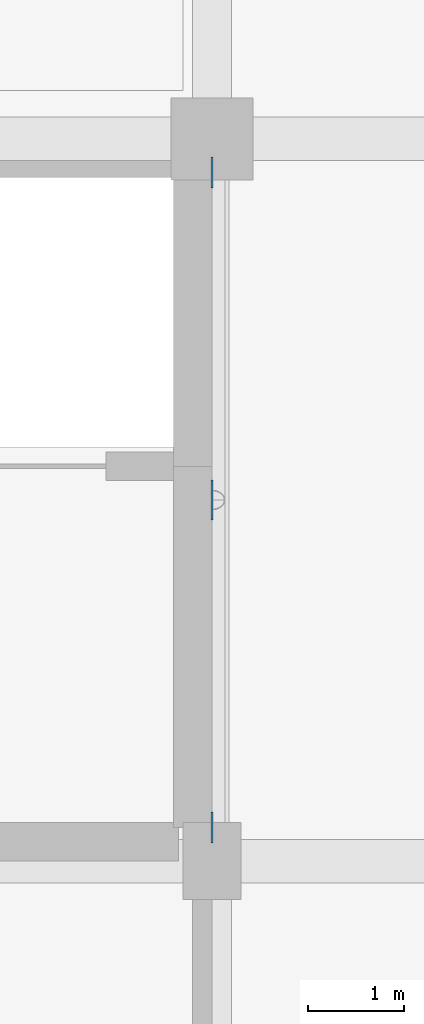
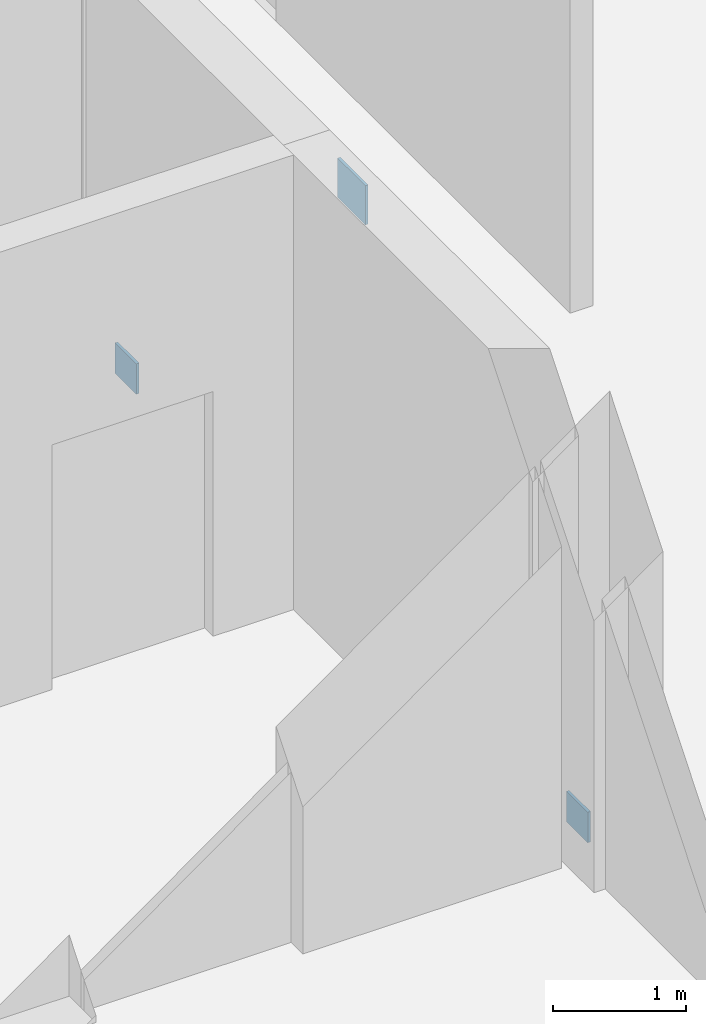
# One storey, part 92 of 128: 3 plates.
"""IFC4 building model written with IfcOpenShell, lengths in metres."""

from ifc_helpers import new_model, si_unit, direction, frame, origin, origin_2d, place, context, subcontext, project, spatial, rectangle, extrude, material, layer, layer_set, type_object, element, save


model = new_model("IFC4")

# Units and contexts
model_context = context("Model", 3, precision=1e-05, world=origin(), true_north=direction((0.0, 1.0)))
body_context = subcontext(model_context, "Body", "Model", "MODEL_VIEW")
ifc_project = project(units=[si_unit("LENGTHUNIT", "METRE"), si_unit("AREAUNIT", "SQUARE_METRE"), si_unit("VOLUMEUNIT", "CUBIC_METRE"), si_unit("PLANEANGLEUNIT", "RADIAN"), si_unit("MASSUNIT", "GRAM", prefix="KILO")], contexts=[model_context])

# Site, building, storey
site_placement = place(None, origin())
site = spatial("IfcSite", under=ifc_project, at=site_placement, CompositionType="ELEMENT")
building_placement = place(site_placement, origin())
building = spatial("IfcBuilding", under=site, at=building_placement, Name="Dalvernix Boulevard General Hospital", CompositionType="ELEMENT")
storey_placement = place(building_placement, frame((0.0, 0.0, 4.800048828125)))
storey = spatial("IfcBuildingStorey", under=building, at=storey_placement, Name="L01", CompositionType="ELEMENT", Elevation=4.800048828125)

# Plates
ifc_material = material(Name="Steel S355", Category="steel")
ifc_layer = layer(ifc_material, 0.02392578125)
ifc_layer_set = layer_set([ifc_layer], Name="Steel S355 (PLT-NP-02)")
plate_type = type_object("IfcPlateType", Name="PLT-NP-02", PredefinedType="SHEET", material=ifc_layer_set)
plate_placement = place(storey_placement, frame((15.0, 11.25, 3.64990234375), z_axis=(0.0, 0.0, 1.0), x_axis=(0.0, 1.0, 0.0)))
element("IfcPlate", 1, at=plate_placement, inside=storey, type_object=plate_type, Name="L01 brace apex gusset plate 1", PredefinedType="SHEET", context=body_context, shape_type="SweptSolid", body=[
    extrude(rectangle(XDim=0.419921875, YDim=0.02392578125, at=origin_2d()), origin(), (0.0, 0.0, 1.0), 0.360107421875),
])
for number, where, z_axis, x_axis, name in (
    (2, (15.0, 7.85009765625, 0.0), (0.0, 0.0, 1.0), (0.0, 1.0, 0.0), "L01 brace base gusset plate 1S"),
    (3, (15.0, 14.64990234375, 0.0), (0.0, 0.0, 1.0), (0.0, 1.0, 0.0), "L01 brace base gusset plate 1N"),
):
    element("IfcPlate", number, at=place(storey_placement, frame(where, z_axis=z_axis, x_axis=x_axis)), inside=storey, type_object=plate_type, Name=name, PredefinedType="SHEET", context=body_context, shape_type="SweptSolid", body=[
        extrude(rectangle(XDim=0.320068359375, YDim=0.02392578125, at=origin_2d()), origin(), (0.0, 0.0, 1.0), 0.280029296875),
    ])

save(model, "model.ifc")
